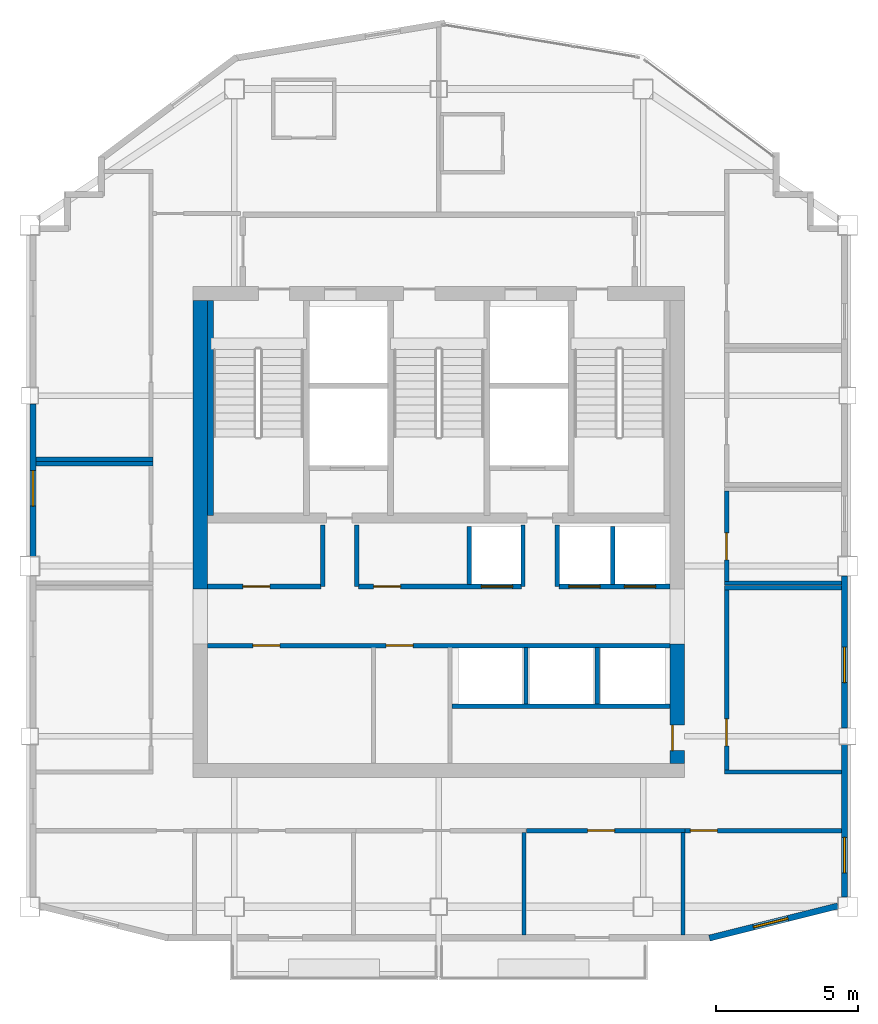
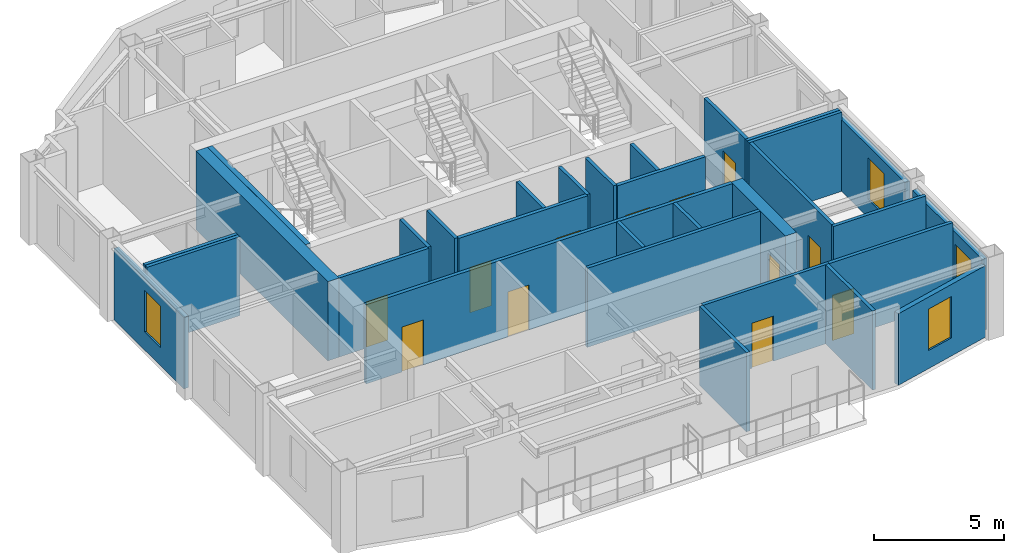
# One storey, part 5 of 8: 31 walls, 12 doors, 4 windows, 16 openings.
"""IFC4 building model written with IfcOpenShell, lengths in metres."""

import ifcopenshell
import ifcopenshell.guid

model = None  # the IFC model being written
_history = None  # IfcOwnerHistory: only IFC2X3 demands one
_inside = {}  # id of a spatial element -> (the spatial element, [elements in it])
_under = {}  # id of a project, library or spatial element -> (it, [spatial elements below it])
_declared = {}  # id of a project -> (the project, [libraries it declares])
_typed = {}  # id of a type object -> (the type object, [elements of that type])
_made_of = {}  # id of a material, layer set ... -> (it, [elements and type objects made of it])


def new_model(schema):
    """Start an empty IFC model of exactly this schema.

    Asked for "IFC4X3", IfcOpenShell would pick the latest addendum, in which some entities
    have other attributes; the version numbers below select the first issue.
    IFC2X3 requires an IfcOwnerHistory on every rooted entity: one is made here for all.
    """
    global model, _history
    if schema == "IFC4X3":
        model = ifcopenshell.file(schema_version=(4, 3, 0, 0))
    else:
        model = ifcopenshell.file(schema=schema)
    _inside.clear()
    _under.clear()
    _declared.clear()
    _typed.clear()
    _made_of.clear()
    _history = None
    if model.schema == "IFC2X3":
        org = make("IfcOrganization", Name="unknown")
        user = make(
            "IfcPersonAndOrganization",
            ThePerson=make("IfcPerson", FamilyName="unknown"),
            TheOrganization=org,
        )
        app = make(
            "IfcApplication",
            ApplicationDeveloper=org,
            Version="unknown",
            ApplicationFullName="unknown",
            ApplicationIdentifier="unknown",
        )
        _history = make(
            "IfcOwnerHistory",
            OwningUser=user,
            OwningApplication=app,
            ChangeAction="ADDED",
            CreationDate=0,
        )
    return model


def make(cls, **values):
    """One entity of the class cls with the attributes given. An attribute that is None is left unset."""
    return model.create_entity(
        cls, **{name: value for name, value in values.items() if value is not None}
    )


def rooted(cls, **values):
    """An entity with a GlobalId (a new one), such as an element, a storey or a relation."""
    return make(cls, GlobalId=ifcopenshell.guid.new(), OwnerHistory=_history, **values)


def si_unit(unit_type, name, prefix=None):
    """IfcSIUnit, for example si_unit("LENGTHUNIT", "METRE", prefix="MILLI")."""
    return make("IfcSIUnit", UnitType=unit_type, Prefix=prefix, Name=name)


def assignment(units):
    """IfcUnitAssignment: the units of a project."""
    return None if units is None else make("IfcUnitAssignment", Units=units)


def point(xyz):
    """IfcCartesianPoint."""
    return None if xyz is None else make("IfcCartesianPoint", Coordinates=xyz)


def direction(xyz):
    """IfcDirection."""
    return None if xyz is None else make("IfcDirection", DirectionRatios=xyz)


def frame(location, z_axis=None, x_axis=None):
    """IfcAxis2Placement3D, a coordinate frame: its origin and axes. An axis left out is left unset."""
    return make(
        "IfcAxis2Placement3D",
        Location=point(location),
        Axis=direction(z_axis),
        RefDirection=direction(x_axis),
    )


def frame_2d(location, x_axis=None):
    """IfcAxis2Placement2D, a coordinate frame in the plane: its origin and x axis."""
    return make(
        "IfcAxis2Placement2D", Location=point(location), RefDirection=direction(x_axis)
    )


def origin():
    """The frame at (0, 0, 0) with its axes left unset."""
    return frame((0.0, 0.0, 0.0))


def place(relative_to, where):
    """IfcLocalPlacement: puts the frame where relative to a parent placement (None: the world)."""
    return make(
        "IfcLocalPlacement", PlacementRelTo=relative_to, RelativePlacement=where
    )


def context(
    kind, dimensions, precision=None, world=None, true_north=None, identifier=None
):
    """IfcGeometricRepresentationContext, for example the 3D "Model" context."""
    return make(
        "IfcGeometricRepresentationContext",
        ContextIdentifier=identifier,
        ContextType=kind,
        CoordinateSpaceDimension=dimensions,
        Precision=precision,
        WorldCoordinateSystem=world,
        TrueNorth=true_north,
    )


def subcontext(parent, identifier, kind, view, scale=None):
    """IfcGeometricRepresentationSubContext, for example "Body" below "Model"."""
    return make(
        "IfcGeometricRepresentationSubContext",
        ContextIdentifier=identifier,
        ContextType=kind,
        ParentContext=parent,
        TargetScale=scale,
        TargetView=view,
    )


def project(units=None, contexts=None):
    """IfcProject with its units and contexts."""
    return rooted(
        "IfcProject",
        Name="project",
        RepresentationContexts=contexts,
        UnitsInContext=assignment(units),
    )


def spatial(cls, under=None, at=None, **own):
    """A site, building, storey or space (cls), placed at a placement, below another one or the project."""
    s = rooted(cls, ObjectPlacement=at, **own)
    if under is not None:
        _under.setdefault(under.id(), (under, []))[1].append(s)
    return s


def profile(cls, at=None, kind="AREA", **sizes):
    """A parametric profile (cls). Its sizes go by their IFC names, for example OverallWidth=200.0."""
    return make(cls, ProfileType=kind, Position=at, **sizes)


def rectangle(**sizes):
    """IfcRectangleProfileDef."""
    return profile("IfcRectangleProfileDef", **sizes)


def extrude(swept, where, along, depth):
    """IfcExtrudedAreaSolid: the profile swept, set in the frame where, extruded along a direction by depth."""
    return make(
        "IfcExtrudedAreaSolid",
        SweptArea=swept,
        Position=where,
        ExtrudedDirection=direction(along),
        Depth=depth,
    )


def shape(context_of_items, identifier, shape_type, items):
    """IfcShapeRepresentation: the items that make up one representation, for example the "Body"."""
    return make(
        "IfcShapeRepresentation",
        ContextOfItems=context_of_items,
        RepresentationIdentifier=identifier,
        RepresentationType=shape_type,
        Items=items,
    )


def material(Name=None, Category=None):
    """IfcMaterial."""
    return make("IfcMaterial", Name=Name, Category=Category)


def layer(
    of_material, thickness, ventilated=None, Name=None, Category=None, Priority=None
):
    """IfcMaterialLayer: one layer of a wall or slab, of a material (None: an air gap)."""
    return make(
        "IfcMaterialLayer",
        Material=of_material,
        LayerThickness=thickness,
        IsVentilated=ventilated,
        Name=Name,
        Category=Category,
        Priority=Priority,
    )


def layer_set(layers, Name=None):
    """IfcMaterialLayerSet."""
    return make("IfcMaterialLayerSet", MaterialLayers=layers, LayerSetName=Name)


def made_of(thing, what):
    """Note that an element or type object is made of a material, layer set ...; save() writes the relation."""
    if what is not None:
        _made_of.setdefault(what.id(), (what, []))[1].append(thing)
    return thing


def type_object(cls, material=None, **own):
    """A type object (cls), such as IfcWallType, which elements share."""
    return made_of(rooted(cls, **own), material)


def element(
    cls,
    number,
    at=None,
    inside=None,
    cuts=None,
    type_object=None,
    material=None,
    context=None,
    identifier="Body",
    shape_type=None,
    held_by="IfcProductDefinitionShape",
    body=None,
    shapes=None,
    **own,
):
    """One element of the class cls, such as IfcWall. Its Tag is "e" and its number.

    at: its placement. inside: the storey or other place that contains it. cuts: it is an
    opening in that element (IfcRelVoidsElement). A single representation is given by context,
    identifier, shape_type and body (its items); several are given by shapes. held_by: the class
    of the entity that holds the representations. save() writes the other relations.
    """
    e = rooted(cls, Tag="e%d" % number, ObjectPlacement=at, **own)
    if body is not None:
        shapes = [shape(context, identifier, shape_type, body)]
    if shapes is not None:
        e.Representation = make(held_by, Representations=shapes)
    if inside is not None:
        _inside.setdefault(inside.id(), (inside, []))[1].append(e)
    if cuts is not None:
        rooted(
            "IfcRelVoidsElement", RelatingBuildingElement=cuts, RelatedOpeningElement=e
        )
    if type_object is not None:
        _typed.setdefault(type_object.id(), (type_object, []))[1].append(e)
    return made_of(e, material)


def fill(opening, filler):
    """IfcRelFillsElement: the door or window that sits in an opening."""
    return rooted(
        "IfcRelFillsElement",
        RelatingOpeningElement=opening,
        RelatedBuildingElement=filler,
    )


def aggregate(whole, parts):
    """IfcRelAggregates: a whole, such as a stair, and the parts it consists of."""
    return rooted("IfcRelAggregates", RelatingObject=whole, RelatedObjects=parts)


def save(model, path):
    """Write the relations noted so far, then the file.

    IfcRelAggregates (storeys below a building ...), IfcRelContainedInSpatialStructure (elements
    in a storey), IfcRelDefinesByType, IfcRelAssociatesMaterial and IfcRelDeclares: one each for
    every whole, place, type object, material and project.
    """
    for whole, parts in _under.values():
        aggregate(whole, parts)
    for where, things in _inside.values():
        rooted(
            "IfcRelContainedInSpatialStructure",
            RelatedElements=things,
            RelatingStructure=where,
        )
    for kind, things in _typed.values():
        rooted("IfcRelDefinesByType", RelatedObjects=things, RelatingType=kind)
    for what, things in _made_of.values():
        rooted("IfcRelAssociatesMaterial", RelatedObjects=things, RelatingMaterial=what)
    for by, libraries in _declared.values():
        rooted("IfcRelDeclares", RelatingContext=by, RelatedDefinitions=libraries)
    model.write(path)


model = new_model("IFC4")

# Units and contexts
model_context = context("Model", 3, precision=1e-05, world=origin(), true_north=direction((0.0, 1.0)))
body_context = subcontext(model_context, "Body", "Model", "MODEL_VIEW")
ifc_project = project(units=[si_unit("LENGTHUNIT", "METRE"), si_unit("AREAUNIT", "SQUARE_METRE"), si_unit("VOLUMEUNIT", "CUBIC_METRE"), si_unit("PLANEANGLEUNIT", "RADIAN"), si_unit("MASSUNIT", "GRAM", prefix="KILO")], contexts=[model_context])

# Site, building, storey
site_placement = place(None, origin())
site = spatial("IfcSite", under=ifc_project, at=site_placement, CompositionType="ELEMENT")
building_placement = place(site_placement, origin())
building = spatial("IfcBuilding", under=site, at=building_placement, Name="Haolan Belvedere Tower", CompositionType="ELEMENT")
storey_placement = place(building_placement, frame((0.0, 0.0, 297.800048828125)))
storey = spatial("IfcBuildingStorey", under=building, at=storey_placement, Name="L75", CompositionType="ELEMENT", Elevation=297.800048828125)

# Wall
ifc_material_1 = material(Name="Concrete C50/60", Category="concrete")
ifc_layer_1 = layer(ifc_material_1, 0.5, Name="Concrete C50/60")
ifc_layer_set_1 = layer_set([ifc_layer_1], Name="Concrete C50/60")
wall_type_1 = type_object("IfcWallType", Name="WL-CORE-500", PredefinedType="SHEAR", material=ifc_layer_set_1)
wall_1_placement = place(storey_placement, frame((30.0, 32.800048828125, 0.0), z_axis=(0.0, 0.0, 1.0), x_axis=(0.0, 1.0, 0.0)))
element("IfcWall", 1, at=wall_1_placement, inside=storey, type_object=wall_type_1, Name="L75 central core shear wall WN", PredefinedType="SHEAR", context=body_context, shape_type="SweptSolid", body=[
    extrude(rectangle(XDim=10.14990234375, YDim=0.5, at=frame_2d((5.074951171875, 0.0))), origin(), (0.0, 0.0, 1.0), 3.719970703125),
])

# Wall, opening, door
wall_2_placement = place(storey_placement, frame((46.800048828125, 26.64990234375, 0.0), z_axis=(0.0, 0.0, 1.0), x_axis=(0.0, 1.0, 0.0)))
wall_2 = element("IfcWall", 2, at=wall_2_placement, inside=storey, type_object=wall_type_1, Name="L75 central core shear wall ES", PredefinedType="SHEAR", context=body_context, shape_type="SweptSolid", body=[
    extrude(rectangle(XDim=4.2001953125, YDim=0.5, at=frame_2d((2.10009765625, 0.0))), origin(), (0.0, 0.0, 1.0), 3.719970703125),
])
opening_1_placement = place(wall_2_placement, frame((1.349853515625, 0.0, 0.0), z_axis=(0.0, 0.0, 1.0), x_axis=(-1.0, 0.0, 0.0)))
opening_1 = element("IfcOpeningElement", 3, at=opening_1_placement, cuts=wall_2, Name="Opening FD-05", PredefinedType="OPENING", context=body_context, shape_type="SweptSolid", body=[
    extrude(rectangle(XDim=0.89990234375, YDim=2.10009765625, at=frame_2d((0.449951171875, 1.050048828125))), frame((0.0, 0.260009765625, 0.0), z_axis=(0.0, -1.0, 0.0), x_axis=(1.0, 0.0, 0.0)), (0.0, 0.0, 1.0), 0.52001953125),
])
ifc_material_2 = material(Name="Galvanised fire-rated steel", Category="steel")
door_type_1 = type_object("IfcDoorType", Name="DR-FD60-900", OperationType="NOTDEFINED", PredefinedType="DOOR", material=ifc_material_2)
door_1_placement = place(opening_1_placement, origin())
door_1 = element("IfcDoor", 4, at=door_1_placement, inside=storey, type_object=door_type_1, Name="L75 door CD-L75-SCVE", OperationType="SINGLE_SWING_RIGHT", OverallHeight=2.10009765625, OverallWidth=0.89990234375, PredefinedType="DOOR", context=body_context, shape_type="SweptSolid", body=[
    extrude(rectangle(XDim=0.89990234375, YDim=2.10009765625, at=frame_2d((0.449951171875, 1.050048828125))), frame((0.0, -0.134765625, 0.0), z_axis=(0.0, -1.0, 0.0), x_axis=(1.0, 0.0, 0.0)), (0.0, 0.0, 1.0), 0.050048828125),
])
fill(opening_1, door_1)

# Wall, opening, window
ifc_material_3 = material(Name="Precast concrete C40/50", Category="concrete")
ifc_layer_2 = layer(ifc_material_3, 0.219970703125, Name="Precast concrete C40/50")
ifc_layer_set_2 = layer_set([ifc_layer_2], Name="Precast concrete C40/50")
wall_type_2 = type_object("IfcWallType", Name="WL-EXT-220", PredefinedType="SOLIDWALL", material=ifc_layer_set_2)
wall_3_placement = place(storey_placement, frame((47.93310546875, 20.49658203125, 0.0), z_axis=(0.0, 0.0, 1.0), x_axis=(0.970136341762, 0.242560257242, 0.0)))
wall_3 = element("IfcWall", 5, at=wall_3_placement, inside=storey, type_object=wall_type_2, Name="L75 pale-metal exterior spandrel wall 2.1", PredefinedType="SOLIDWALL", context=body_context, shape_type="SweptSolid", body=[
    extrude(rectangle(XDim=4.664306640625, YDim=0.219970703125, at=frame_2d((2.33203125, 0.0))), origin(), (0.0, 0.0, 1.0), 3.364990234375),
])
opening_2_placement = place(wall_3_placement, frame((1.60009765625, 0.0, 0.85009765625)))
opening_2 = element("IfcOpeningElement", 6, at=opening_2_placement, cuts=wall_3, Name="Opening W-04", PredefinedType="OPENING", context=body_context, shape_type="SweptSolid", body=[
    extrude(rectangle(XDim=1.25, YDim=1.949951171875, at=frame_2d((0.625, 0.97509765625))), frame((0.0, 0.119873046875, 0.0), z_axis=(0.0, -1.0, 0.0), x_axis=(1.0, 0.0, 0.0)), (0.0, 0.0, 1.0), 0.239990234375),
])
ifc_material_4 = material(Name="Anodised aluminium 6063-T6 and Low-E glass", Category="aluminium")
window_type = type_object("IfcWindowType", Name="WN-DECO-Z4", PartitioningType="SINGLE_PANEL", PredefinedType="WINDOW", material=ifc_material_4)
window_1_placement = place(opening_2_placement, origin())
window_1 = element("IfcWindow", 7, at=window_1_placement, inside=storey, type_object=window_type, Name="L75 Art Deco chevron window 1", OverallHeight=1.949951171875, OverallWidth=1.25, PartitioningType="SINGLE_PANEL", PredefinedType="WINDOW", context=body_context, shape_type="SweptSolid", body=[
    extrude(rectangle(XDim=1.25, YDim=1.949951171875, at=frame_2d((0.625, 0.97509765625))), frame((0.0, 0.030029296875, 0.0), z_axis=(0.0, -1.0, 0.0), x_axis=(1.0, 0.0, 0.0)), (0.0, 0.0, 1.0), 0.06005859375),
])
fill(opening_2, window_1)

wall_4_placement = place(storey_placement, frame((52.68994140625, 21.94189453125, 0.0), z_axis=(0.0, 0.0, 1.0), x_axis=(0.0, 1.0, 0.0)))
wall_4 = element("IfcWall", 8, at=wall_4_placement, inside=storey, type_object=wall_type_2, Name="L75 pale-metal exterior spandrel wall 3.1", PredefinedType="SOLIDWALL", context=body_context, shape_type="SweptSolid", body=[
    extrude(rectangle(XDim=5.3662109375, YDim=0.219970703125, at=frame_2d((2.68310546875, 0.0))), origin(), (0.0, 0.0, 1.0), 3.364990234375),
])
opening_3_placement = place(wall_4_placement, frame((0.85302734375, 0.0, 0.85009765625)))
opening_3 = element("IfcOpeningElement", 9, at=opening_3_placement, cuts=wall_4, Name="Opening W-04", PredefinedType="OPENING", context=body_context, shape_type="SweptSolid", body=[
    extrude(rectangle(XDim=1.25, YDim=1.949951171875, at=frame_2d((0.625, 0.97509765625))), frame((0.0, 0.119873046875, 0.0), z_axis=(0.0, -1.0, 0.0), x_axis=(1.0, 0.0, 0.0)), (0.0, 0.0, 1.0), 0.239990234375),
])
window_2_placement = place(opening_3_placement, origin())
window_2 = element("IfcWindow", 10, at=window_2_placement, inside=storey, type_object=window_type, Name="L75 Art Deco chevron window 1", OverallHeight=1.949951171875, OverallWidth=1.25, PartitioningType="SINGLE_PANEL", PredefinedType="WINDOW", context=body_context, shape_type="SweptSolid", body=[
    extrude(rectangle(XDim=1.25, YDim=1.949951171875, at=frame_2d((0.625, 0.97509765625))), frame((0.0, 0.030029296875, 0.0), z_axis=(0.0, -1.0, 0.0), x_axis=(1.0, 0.0, 0.0)), (0.0, 0.0, 1.0), 0.06005859375),
])
fill(opening_3, window_2)

wall_5_placement = place(storey_placement, frame((52.68994140625, 27.89208984375, 0.0), z_axis=(0.0, 0.0, 1.0), x_axis=(0.0, 1.0, 0.0)))
wall_5 = element("IfcWall", 11, at=wall_5_placement, inside=storey, type_object=wall_type_2, Name="L75 pale-metal exterior spandrel wall 3.2", PredefinedType="SOLIDWALL", context=body_context, shape_type="SweptSolid", body=[
    extrude(rectangle(XDim=5.365966796875, YDim=0.219970703125, at=frame_2d((2.68310546875, 0.0))), origin(), (0.0, 0.0, 1.0), 3.364990234375),
])
opening_4_placement = place(wall_5_placement, frame((1.60009765625, 0.0, 0.85009765625)))
opening_4 = element("IfcOpeningElement", 12, at=opening_4_placement, cuts=wall_5, Name="Opening W-04", PredefinedType="OPENING", context=body_context, shape_type="SweptSolid", body=[
    extrude(rectangle(XDim=1.25, YDim=1.949951171875, at=frame_2d((0.625, 0.97509765625))), frame((0.0, 0.119873046875, 0.0), z_axis=(0.0, -1.0, 0.0), x_axis=(1.0, 0.0, 0.0)), (0.0, 0.0, 1.0), 0.239990234375),
])
window_3_placement = place(opening_4_placement, origin())
window_3 = element("IfcWindow", 13, at=window_3_placement, inside=storey, type_object=window_type, Name="L75 Art Deco chevron window 1", OverallHeight=1.949951171875, OverallWidth=1.25, PartitioningType="SINGLE_PANEL", PredefinedType="WINDOW", context=body_context, shape_type="SweptSolid", body=[
    extrude(rectangle(XDim=1.25, YDim=1.949951171875, at=frame_2d((0.625, 0.97509765625))), frame((0.0, 0.030029296875, 0.0), z_axis=(0.0, -1.0, 0.0), x_axis=(1.0, 0.0, 0.0)), (0.0, 0.0, 1.0), 0.06005859375),
])
fill(opening_4, window_3)

wall_6_placement = place(storey_placement, frame((24.110107421875, 39.30810546875, 0.0), z_axis=(0.0, 0.0, 1.0), x_axis=(0.0, -1.0, 0.0)))
wall_6 = element("IfcWall", 14, at=wall_6_placement, inside=storey, type_object=wall_type_2, Name="L75 pale-metal exterior spandrel wall 16.2", PredefinedType="SOLIDWALL", context=body_context, shape_type="SweptSolid", body=[
    extrude(rectangle(XDim=5.3662109375, YDim=0.219970703125, at=frame_2d((2.68310546875, 0.0))), origin(), (0.0, 0.0, 1.0), 3.364990234375),
])
opening_5_placement = place(wall_6_placement, frame((2.343017578125, 0.0, 0.85009765625)))
opening_5 = element("IfcOpeningElement", 15, at=opening_5_placement, cuts=wall_6, Name="Opening W-04", PredefinedType="OPENING", context=body_context, shape_type="SweptSolid", body=[
    extrude(rectangle(XDim=1.25, YDim=1.949951171875, at=frame_2d((0.625, 0.97509765625))), frame((0.0, 0.119873046875, 0.0), z_axis=(0.0, -1.0, 0.0), x_axis=(1.0, 0.0, 0.0)), (0.0, 0.0, 1.0), 0.239990234375),
])
window_4_placement = place(opening_5_placement, origin())
window_4 = element("IfcWindow", 16, at=window_4_placement, inside=storey, type_object=window_type, Name="L75 Art Deco chevron window 1", OverallHeight=1.949951171875, OverallWidth=1.25, PartitioningType="SINGLE_PANEL", PredefinedType="WINDOW", context=body_context, shape_type="SweptSolid", body=[
    extrude(rectangle(XDim=1.25, YDim=1.949951171875, at=frame_2d((0.625, 0.97509765625))), frame((0.0, 0.030029296875, 0.0), z_axis=(0.0, -1.0, 0.0), x_axis=(1.0, 0.0, 0.0)), (0.0, 0.0, 1.0), 0.06005859375),
])
fill(opening_5, window_4)

# Walls
ifc_material_5 = material(Name="Double gypsum acoustic stud partition", Category="masonry")
ifc_layer_3 = layer(ifc_material_5, 0.14990234375, Name="Double gypsum acoustic stud partition")
ifc_layer_set_3 = layer_set([ifc_layer_3], Name="Double gypsum acoustic stud partition")
wall_type_3 = type_object("IfcWallType", Name="WL-PART-150", PredefinedType="PARTITIONING", material=ifc_layer_set_3)
wall_7_placement = place(storey_placement, frame((38.860107421875, 28.659912109375, 0.0), z_axis=(0.0, 0.0, 1.0), x_axis=(1.0, 0.0, 0.0)))
element("IfcWall", 17, at=wall_7_placement, inside=storey, type_object=wall_type_3, Name="L75 interior partition IW-L75-SSTRIP-E", PredefinedType="PARTITIONING", context=body_context, shape_type="SweptSolid", body=[
    extrude(rectangle(XDim=7.68994140625, YDim=0.14990234375, at=frame_2d((3.844970703125, 0.0))), origin(), (0.0, 0.0, 1.0), 3.719970703125),
])
for number, where, z_axis, x_axis, name in (
    (18, (24.2119140625, 37.199951171875, 0.0), (0.0, 0.0, 1.0), (1.0, 0.0, 0.0), "L75 interior partition IW-L75-HSK-N"),
    (19, (24.2119140625, 37.360107421875, 0.0), (0.0, 0.0, 1.0), (1.0, 0.0, 0.0), "L75 interior partition IW-L75-MTG-S"),
):
    element("IfcWall", number, at=place(storey_placement, frame(where, z_axis=z_axis, x_axis=x_axis)), inside=storey, type_object=wall_type_3, Name=name, PredefinedType="PARTITIONING", context=body_context, shape_type="SweptSolid", body=[
        extrude(rectangle(XDim=4.128173828125, YDim=0.14990234375, at=frame_2d((2.06396484375, 0.0))), origin(), (0.0, 0.0, 1.0), 3.719970703125),
    ])
wall_8_placement = place(storey_placement, frame((48.4599609375, 33.0, 0.0), z_axis=(0.0, 0.0, 1.0), x_axis=(1.0, 0.0, 0.0)))
element("IfcWall", 20, at=wall_8_placement, inside=storey, type_object=wall_type_3, Name="L75 interior partition IW-L75-AWC-S", PredefinedType="PARTITIONING", context=body_context, shape_type="SweptSolid", body=[
    extrude(rectangle(XDim=4.1279296875, YDim=0.14990234375, at=frame_2d((2.06396484375, 0.0))), origin(), (0.0, 0.0, 1.0), 3.719970703125),
])

# Wall, opening, door
wall_9_placement = place(storey_placement, frame((48.5400390625, 33.06005859375, 0.0), z_axis=(0.0, 0.0, 1.0), x_axis=(0.0, 1.0, 0.0)))
wall_9 = element("IfcWall", 21, at=wall_9_placement, inside=storey, type_object=wall_type_3, Name="L75 interior partition IW-L75-AWC-W", PredefinedType="PARTITIONING", context=body_context, shape_type="SweptSolid", body=[
    extrude(rectangle(XDim=3.179931640625, YDim=0.14990234375, at=frame_2d((1.58984375, 0.0))), origin(), (0.0, 0.0, 1.0), 3.719970703125),
])
opening_6_placement = place(wall_9_placement, frame((0.760009765625, 0.0, 0.0)))
opening_6 = element("IfcOpeningElement", 22, at=opening_6_placement, cuts=wall_9, Name="Opening ID-03", PredefinedType="OPENING", context=body_context, shape_type="SweptSolid", body=[
    extrude(rectangle(XDim=0.949951171875, YDim=2.1201171875, at=frame_2d((0.47509765625, 1.06005859375))), frame((0.0, 0.0849609375, 0.0), z_axis=(0.0, -1.0, 0.0), x_axis=(1.0, 0.0, 0.0)), (0.0, 0.0, 1.0), 0.169921875),
])
ifc_material_6 = material(Name="Painted solid-core timber", Category="wood")
door_type_2 = type_object("IfcDoorType", Name="DR-INT-950", OperationType="NOTDEFINED", PredefinedType="DOOR", material=ifc_material_6)
door_2_placement = place(opening_6_placement, origin())
door_2 = element("IfcDoor", 23, at=door_2_placement, inside=storey, type_object=door_type_2, Name="L75 door ID-L75-AWC", OperationType="SINGLE_SWING_LEFT", OverallHeight=2.1201171875, OverallWidth=0.949951171875, PredefinedType="DOOR", context=body_context, shape_type="SweptSolid", body=[
    extrude(rectangle(XDim=0.949951171875, YDim=2.1201171875, at=frame_2d((0.47509765625, 1.06005859375))), frame((0.0, 0.02490234375, 0.0), z_axis=(0.0, -1.0, 0.0), x_axis=(1.0, 0.0, 0.0)), (0.0, 0.0, 1.0), 0.050048828125),
])
fill(opening_6, door_2)

# Walls
for number, where, z_axis, x_axis, name in (
    (24, (48.4599609375, 32.840087890625, 0.0), (0.0, 0.0, 1.0), (1.0, 0.0, 0.0), "L75 interior partition IW-L75-PKTE-N"),
    (25, (48.4599609375, 26.35009765625, 0.0), (0.0, 0.0, 1.0), (1.0, 0.0, 0.0), "L75 interior partition IW-L75-PKTE-S"),
):
    element("IfcWall", number, at=place(storey_placement, frame(where, z_axis=z_axis, x_axis=x_axis)), inside=storey, type_object=wall_type_3, Name=name, PredefinedType="PARTITIONING", context=body_context, shape_type="SweptSolid", body=[
        extrude(rectangle(XDim=4.1279296875, YDim=0.14990234375, at=frame_2d((2.06396484375, 0.0))), origin(), (0.0, 0.0, 1.0), 3.719970703125),
    ])

# Wall, opening, door
wall_10_placement = place(storey_placement, frame((48.5400390625, 26.409912109375, 0.0), z_axis=(0.0, 0.0, 1.0), x_axis=(0.0, 1.0, 0.0)))
wall_10 = element("IfcWall", 26, at=wall_10_placement, inside=storey, type_object=wall_type_3, Name="L75 interior partition IW-L75-PKTE-W", PredefinedType="PARTITIONING", context=body_context, shape_type="SweptSolid", body=[
    extrude(rectangle(XDim=6.3701171875, YDim=0.14990234375, at=frame_2d((3.18505859375, 0.0))), origin(), (0.0, 0.0, 1.0), 3.719970703125),
])
opening_7_placement = place(wall_10_placement, frame((0.860107421875, 0.0, 0.0)))
opening_7 = element("IfcOpeningElement", 27, at=opening_7_placement, cuts=wall_10, Name="Opening ID-03", PredefinedType="OPENING", context=body_context, shape_type="SweptSolid", body=[
    extrude(rectangle(XDim=0.949951171875, YDim=2.1201171875, at=frame_2d((0.47509765625, 1.06005859375))), frame((0.0, 0.0849609375, 0.0), z_axis=(0.0, -1.0, 0.0), x_axis=(1.0, 0.0, 0.0)), (0.0, 0.0, 1.0), 0.169921875),
])
door_3_placement = place(opening_7_placement, origin())
door_3 = element("IfcDoor", 28, at=door_3_placement, inside=storey, type_object=door_type_2, Name="L75 door ID-L75-PKTE", OperationType="SINGLE_SWING_RIGHT", OverallHeight=2.1201171875, OverallWidth=0.949951171875, PredefinedType="DOOR", context=body_context, shape_type="SweptSolid", body=[
    extrude(rectangle(XDim=0.949951171875, YDim=2.1201171875, at=frame_2d((0.47509765625, 1.06005859375))), frame((0.0, 0.02490234375, 0.0), z_axis=(0.0, -1.0, 0.0), x_axis=(1.0, 0.0, 0.0)), (0.0, 0.0, 1.0), 0.050048828125),
])
fill(opening_7, door_3)

# Wall
wall_11_placement = place(storey_placement, frame((41.39990234375, 20.612060546875, 0.0), z_axis=(0.0, 0.0, 1.0), x_axis=(0.0, 1.0, 0.0)))
element("IfcWall", 29, at=wall_11_placement, inside=storey, type_object=wall_type_3, Name="L75 interior partition IW-L75-KS3-E", PredefinedType="PARTITIONING", context=body_context, shape_type="SweptSolid", body=[
    extrude(rectangle(XDim=3.60791015625, YDim=0.14990234375, at=frame_2d((1.803955078125, 0.0))), origin(), (0.0, 0.0, 1.0), 3.719970703125),
])

# Wall, opening, door
wall_12_placement = place(storey_placement, frame((41.48193359375, 24.280029296875, 0.0), z_axis=(0.0, 0.0, 1.0), x_axis=(1.0, 0.0, 0.0)))
wall_12 = element("IfcWall", 30, at=wall_12_placement, inside=storey, type_object=wall_type_3, Name="L75 interior partition IW-L75-KS4-N", PredefinedType="PARTITIONING", context=body_context, shape_type="SweptSolid", body=[
    extrude(rectangle(XDim=5.59814453125, YDim=0.14990234375, at=frame_2d((2.799072265625, 0.0))), origin(), (0.0, 0.0, 1.0), 3.719970703125),
])
opening_8_placement = place(wall_12_placement, frame((3.113037109375, 0.0, 0.0), z_axis=(0.0, 0.0, 1.0), x_axis=(-1.0, 0.0, 0.0)))
opening_8 = element("IfcOpeningElement", 31, at=opening_8_placement, cuts=wall_12, Name="Opening ID-03", PredefinedType="OPENING", context=body_context, shape_type="SweptSolid", body=[
    extrude(rectangle(XDim=0.949951171875, YDim=2.1201171875, at=frame_2d((0.47509765625, 1.06005859375))), frame((0.0, 0.0849609375, 0.0), z_axis=(0.0, -1.0, 0.0), x_axis=(1.0, 0.0, 0.0)), (0.0, 0.0, 1.0), 0.169921875),
])
door_4_placement = place(opening_8_placement, origin())
door_4 = element("IfcDoor", 32, at=door_4_placement, inside=storey, type_object=door_type_2, Name="L75 door ID-L75-KS4", OperationType="SINGLE_SWING_RIGHT", OverallHeight=2.1201171875, OverallWidth=0.949951171875, PredefinedType="DOOR", context=body_context, shape_type="SweptSolid", body=[
    extrude(rectangle(XDim=0.949951171875, YDim=2.1201171875, at=frame_2d((0.47509765625, 1.06005859375))), frame((0.0, 0.02490234375, 0.0), z_axis=(0.0, -1.0, 0.0), x_axis=(1.0, 0.0, 0.0)), (0.0, 0.0, 1.0), 0.050048828125),
])
fill(opening_8, door_4)

# Wall
wall_13_placement = place(storey_placement, frame((47.0, 20.612060546875, 0.0), z_axis=(0.0, 0.0, 1.0), x_axis=(0.0, 1.0, 0.0)))
element("IfcWall", 33, at=wall_13_placement, inside=storey, type_object=wall_type_3, Name="L75 interior partition IW-L75-KS4-E", PredefinedType="PARTITIONING", context=body_context, shape_type="SweptSolid", body=[
    extrude(rectangle(XDim=3.60791015625, YDim=0.14990234375, at=frame_2d((1.803955078125, 0.0))), origin(), (0.0, 0.0, 1.0), 3.719970703125),
])

# Wall, opening, door
wall_14_placement = place(storey_placement, frame((47.08203125, 24.280029296875, 0.0), z_axis=(0.0, 0.0, 1.0), x_axis=(1.0, 0.0, 0.0)))
wall_14 = element("IfcWall", 34, at=wall_14_placement, inside=storey, type_object=wall_type_3, Name="L75 interior partition IW-L75-KS5-N", PredefinedType="PARTITIONING", context=body_context, shape_type="SweptSolid", body=[
    extrude(rectangle(XDim=5.505859375, YDim=0.14990234375, at=frame_2d((2.7529296875, 0.0))), origin(), (0.0, 0.0, 1.0), 3.719970703125),
])
opening_9_placement = place(wall_14_placement, frame((1.133056640625, 0.0, 0.0), z_axis=(0.0, 0.0, 1.0), x_axis=(-1.0, 0.0, 0.0)))
opening_9 = element("IfcOpeningElement", 35, at=opening_9_placement, cuts=wall_14, Name="Opening ID-03", PredefinedType="OPENING", context=body_context, shape_type="SweptSolid", body=[
    extrude(rectangle(XDim=0.949951171875, YDim=2.1201171875, at=frame_2d((0.47509765625, 1.06005859375))), frame((0.0, 0.0849609375, 0.0), z_axis=(0.0, -1.0, 0.0), x_axis=(1.0, 0.0, 0.0)), (0.0, 0.0, 1.0), 0.169921875),
])
door_5_placement = place(opening_9_placement, origin())
door_5 = element("IfcDoor", 36, at=door_5_placement, inside=storey, type_object=door_type_2, Name="L75 door ID-L75-KS5", OperationType="SINGLE_SWING_LEFT", OverallHeight=2.1201171875, OverallWidth=0.949951171875, PredefinedType="DOOR", context=body_context, shape_type="SweptSolid", body=[
    extrude(rectangle(XDim=0.949951171875, YDim=2.1201171875, at=frame_2d((0.47509765625, 1.06005859375))), frame((0.0, 0.02490234375, 0.0), z_axis=(0.0, -1.0, 0.0), x_axis=(1.0, 0.0, 0.0)), (0.0, 0.0, 1.0), 0.050048828125),
])
fill(opening_9, door_5)

# Walls
ifc_material_7 = material(Name="Gypsum fire shaftwall assembly", Category="masonry")
ifc_layer_4 = layer(ifc_material_7, 0.1650390625, Name="Gypsum fire shaftwall assembly")
ifc_layer_set_4 = layer_set([ifc_layer_4], Name="Gypsum fire shaftwall assembly")
wall_type_4 = type_object("IfcWallType", Name="WL-SHAFT-160", PredefinedType="SOLIDWALL", material=ifc_layer_set_4)
for number, where, z_axis, x_axis, name in (
    (37, (34.31005859375, 32.8798828125, 0.0), (0.0, 0.0, 1.0), (0.0, 1.0, 0.0), "L75 interior partition IW-L75-SVP-W-SV1"),
    (38, (35.510009765625, 32.8798828125, 0.0), (0.0, 0.0, 1.0), (0.0, 1.0, 0.0), "L75 interior partition IW-L75-SVP-E-SV1"),
    (39, (41.3701171875, 32.8798828125, 0.0), (0.0, 0.0, 1.0), (0.0, 1.0, 0.0), "L75 interior partition IW-L75-SVP-W-SV2"),
    (40, (42.570068359375, 32.8798828125, 0.0), (0.0, 0.0, 1.0), (0.0, 1.0, 0.0), "L75 interior partition IW-L75-SVP-E-SV2"),
):
    element("IfcWall", number, at=place(storey_placement, frame(where, z_axis=z_axis, x_axis=x_axis)), inside=storey, type_object=wall_type_4, Name=name, PredefinedType="SOLIDWALL", context=body_context, shape_type="SweptSolid", body=[
        extrude(rectangle(XDim=2.170166015625, YDim=0.14990234375, at=frame_2d((1.0849609375, 0.0))), origin(), (0.0, 0.0, 1.0), 3.719970703125),
    ])

# Wall, opening, door
wall_15_placement = place(storey_placement, frame((30.25, 32.8798828125, 0.0), z_axis=(0.0, 0.0, 1.0), x_axis=(1.0, 0.0, 0.0)))
wall_15 = element("IfcWall", 41, at=wall_15_placement, inside=storey, type_object=wall_type_4, Name="L75 interior partition IW-L75-ROW-PN1", PredefinedType="SOLIDWALL", context=body_context, shape_type="SweptSolid", body=[
    extrude(rectangle(XDim=4.0, YDim=0.159912109375, at=frame_2d((2.0, 0.0))), origin(), (0.0, 0.0, 1.0), 3.719970703125),
])
opening_10_placement = place(wall_15_placement, frame((2.199951171875, 0.0, 0.0), z_axis=(0.0, 0.0, 1.0), x_axis=(-1.0, 0.0, 0.0)))
opening_10 = element("IfcOpeningElement", 42, at=opening_10_placement, cuts=wall_15, Name="Opening ID-03", PredefinedType="OPENING", context=body_context, shape_type="SweptSolid", body=[
    extrude(rectangle(XDim=0.949951171875, YDim=2.1201171875, at=frame_2d((0.47509765625, 1.06005859375))), frame((0.0, 0.08984375, 0.0), z_axis=(0.0, -1.0, 0.0), x_axis=(1.0, 0.0, 0.0)), (0.0, 0.0, 1.0), 0.179931640625),
])
door_6_placement = place(opening_10_placement, origin())
door_6 = element("IfcDoor", 43, at=door_6_placement, inside=storey, type_object=door_type_2, Name="L75 door ID-L75-CD-RPLW", OperationType="SINGLE_SWING_LEFT", OverallHeight=2.1201171875, OverallWidth=0.949951171875, PredefinedType="DOOR", context=body_context, shape_type="SweptSolid", body=[
    extrude(rectangle(XDim=0.949951171875, YDim=2.1201171875, at=frame_2d((0.47509765625, 1.06005859375))), frame((0.0, 0.02490234375, 0.0), z_axis=(0.0, -1.0, 0.0), x_axis=(1.0, 0.0, 0.0)), (0.0, 0.0, 1.0), 0.050048828125),
])
fill(opening_10, door_6)

# Wall, openings, doors
wall_16_placement = place(storey_placement, frame((35.570068359375, 32.8798828125, 0.0), z_axis=(0.0, 0.0, 1.0), x_axis=(1.0, 0.0, 0.0)))
wall_16 = element("IfcWall", 44, at=wall_16_placement, inside=storey, type_object=wall_type_4, Name="L75 interior partition IW-L75-ROW-PN2", PredefinedType="SOLIDWALL", context=body_context, shape_type="SweptSolid", body=[
    extrude(rectangle(XDim=5.739990234375, YDim=0.159912109375, at=frame_2d((2.8701171875, 0.0))), origin(), (0.0, 0.0, 1.0), 3.719970703125),
])
opening_11_placement = place(wall_16_placement, frame((1.489990234375, 0.0, 0.0), z_axis=(0.0, 0.0, 1.0), x_axis=(-1.0, 0.0, 0.0)))
opening_11 = element("IfcOpeningElement", 45, at=opening_11_placement, cuts=wall_16, Name="Opening ID-03", PredefinedType="OPENING", context=body_context, shape_type="SweptSolid", body=[
    extrude(rectangle(XDim=0.949951171875, YDim=2.1201171875, at=frame_2d((0.47509765625, 1.06005859375))), frame((0.0, 0.08984375, 0.0), z_axis=(0.0, -1.0, 0.0), x_axis=(1.0, 0.0, 0.0)), (0.0, 0.0, 1.0), 0.179931640625),
])
opening_12_placement = place(wall_16_placement, frame((5.43017578125, 0.0, 0.0), z_axis=(0.0, 0.0, 1.0), x_axis=(-1.0, 0.0, 0.0)))
opening_12 = element("IfcOpeningElement", 46, at=opening_12_placement, cuts=wall_16, Name="Opening LD-01", PredefinedType="OPENING", context=body_context, shape_type="SweptSolid", body=[
    extrude(rectangle(XDim=1.10009765625, YDim=2.199951171875, at=frame_2d((0.550048828125, 1.10009765625))), frame((0.0, 0.08984375, 0.0), z_axis=(0.0, -1.0, 0.0), x_axis=(1.0, 0.0, 0.0)), (0.0, 0.0, 1.0), 0.179931640625),
])
door_7_placement = place(opening_11_placement, origin())
door_7 = element("IfcDoor", 47, at=door_7_placement, inside=storey, type_object=door_type_2, Name="L75 door ID-L75-CD-RPLE", OperationType="SINGLE_SWING_RIGHT", OverallHeight=2.1201171875, OverallWidth=0.949951171875, PredefinedType="DOOR", context=body_context, shape_type="SweptSolid", body=[
    extrude(rectangle(XDim=0.949951171875, YDim=2.1201171875, at=frame_2d((0.47509765625, 1.06005859375))), frame((0.0, 0.02490234375, 0.0), z_axis=(0.0, -1.0, 0.0), x_axis=(1.0, 0.0, 0.0)), (0.0, 0.0, 1.0), 0.050048828125),
])
fill(opening_11, door_7)
ifc_material_8 = material(Name="Brushed champagne stainless steel 316L", Category="steel")
door_type_3 = type_object("IfcDoorType", Name="DR-LIFT-1100", OperationType="SLIDING_TO_LEFT", PredefinedType="DOOR", material=ifc_material_8)
door_8_placement = place(opening_12_placement, origin())
door_8 = element("IfcDoor", 48, at=door_8_placement, inside=storey, type_object=door_type_3, Name="L75 door ID-L75-LD-PH1", OperationType="SLIDING_TO_RIGHT", OverallHeight=2.199951171875, OverallWidth=1.10009765625, PredefinedType="DOOR", context=body_context, shape_type="SweptSolid", body=[
    extrude(rectangle(XDim=1.10009765625, YDim=2.199951171875, at=frame_2d((0.550048828125, 1.10009765625))), frame((0.0, 0.02490234375, 0.0), z_axis=(0.0, -1.0, 0.0), x_axis=(1.0, 0.0, 0.0)), (0.0, 0.0, 1.0), 0.050048828125),
])
fill(opening_12, door_8)

wall_17_placement = place(storey_placement, frame((42.6298828125, 32.8798828125, 0.0), z_axis=(0.0, 0.0, 1.0), x_axis=(1.0, 0.0, 0.0)))
wall_17 = element("IfcWall", 49, at=wall_17_placement, inside=storey, type_object=wall_type_4, Name="L75 interior partition IW-L75-ROW-PN3", PredefinedType="SOLIDWALL", context=body_context, shape_type="SweptSolid", body=[
    extrude(rectangle(XDim=3.920166015625, YDim=0.159912109375, at=frame_2d((1.9599609375, 0.0))), origin(), (0.0, 0.0, 1.0), 3.719970703125),
])
opening_13_placement = place(wall_17_placement, frame((1.4501953125, 0.0, 0.0), z_axis=(0.0, 0.0, 1.0), x_axis=(-1.0, 0.0, 0.0)))
opening_13 = element("IfcOpeningElement", 50, at=opening_13_placement, cuts=wall_17, Name="Opening LD-01", PredefinedType="OPENING", context=body_context, shape_type="SweptSolid", body=[
    extrude(rectangle(XDim=1.10009765625, YDim=2.199951171875, at=frame_2d((0.550048828125, 1.10009765625))), frame((0.0, 0.08984375, 0.0), z_axis=(0.0, -1.0, 0.0), x_axis=(1.0, 0.0, 0.0)), (0.0, 0.0, 1.0), 0.179931640625),
])
opening_14_placement = place(wall_17_placement, frame((3.41015625, 0.0, 0.0), z_axis=(0.0, 0.0, 1.0), x_axis=(-1.0, 0.0, 0.0)))
opening_14 = element("IfcOpeningElement", 51, at=opening_14_placement, cuts=wall_17, Name="Opening LD-01", PredefinedType="OPENING", context=body_context, shape_type="SweptSolid", body=[
    extrude(rectangle(XDim=1.10009765625, YDim=2.199951171875, at=frame_2d((0.550048828125, 1.10009765625))), frame((0.0, 0.08984375, 0.0), z_axis=(0.0, -1.0, 0.0), x_axis=(1.0, 0.0, 0.0)), (0.0, 0.0, 1.0), 0.179931640625),
])
door_9_placement = place(opening_13_placement, origin())
door_9 = element("IfcDoor", 52, at=door_9_placement, inside=storey, type_object=door_type_3, Name="L75 door ID-L75-LD-PH2", OperationType="SLIDING_TO_RIGHT", OverallHeight=2.199951171875, OverallWidth=1.10009765625, PredefinedType="DOOR", context=body_context, shape_type="SweptSolid", body=[
    extrude(rectangle(XDim=1.10009765625, YDim=2.199951171875, at=frame_2d((0.550048828125, 1.10009765625))), frame((0.0, 0.02490234375, 0.0), z_axis=(0.0, -1.0, 0.0), x_axis=(1.0, 0.0, 0.0)), (0.0, 0.0, 1.0), 0.050048828125),
])
fill(opening_13, door_9)
door_10_placement = place(opening_14_placement, origin())
door_10 = element("IfcDoor", 53, at=door_10_placement, inside=storey, type_object=door_type_3, Name="L75 door ID-L75-LD-PH3", OperationType="SLIDING_TO_RIGHT", OverallHeight=2.199951171875, OverallWidth=1.10009765625, PredefinedType="DOOR", context=body_context, shape_type="SweptSolid", body=[
    extrude(rectangle(XDim=1.10009765625, YDim=2.199951171875, at=frame_2d((0.550048828125, 1.10009765625))), frame((0.0, 0.02490234375, 0.0), z_axis=(0.0, -1.0, 0.0), x_axis=(1.0, 0.0, 0.0)), (0.0, 0.0, 1.0), 0.050048828125),
])
fill(opening_14, door_10)

# Walls
for number, where, z_axis, x_axis, name in (
    (54, (39.469970703125, 32.949951171875, 0.0), (0.0, 0.0, 1.0), (0.0, 1.0, 0.0), "L75 interior partition IW-L75-DIV-PL4R"),
    (55, (44.530029296875, 32.949951171875, 0.0), (0.0, 0.0, 1.0), (0.0, 1.0, 0.0), "L75 interior partition IW-L75-DIV-PH2"),
):
    element("IfcWall", number, at=place(storey_placement, frame(where, z_axis=z_axis, x_axis=x_axis)), inside=storey, type_object=wall_type_4, Name=name, PredefinedType="SOLIDWALL", context=body_context, shape_type="SweptSolid", body=[
        extrude(rectangle(XDim=2.050048828125, YDim=0.14990234375, at=frame_2d((1.02490234375, 0.0))), origin(), (0.0, 0.0, 1.0), 3.719970703125),
    ])

# Wall, openings, doors
wall_18_placement = place(storey_placement, frame((30.25, 30.800048828125, 0.0), z_axis=(0.0, 0.0, 1.0), x_axis=(1.0, 0.0, 0.0)))
wall_18 = element("IfcWall", 56, at=wall_18_placement, inside=storey, type_object=wall_type_4, Name="L75 interior partition IW-L75-ROW-PS", PredefinedType="SOLIDWALL", context=body_context, shape_type="SweptSolid", body=[
    extrude(rectangle(XDim=16.300048828125, YDim=0.159912109375, at=frame_2d((8.14990234375, 0.0))), origin(), (0.0, 0.0, 1.0), 3.719970703125),
])
opening_15_placement = place(wall_18_placement, frame((1.60009765625, 0.0, 0.0)))
opening_15 = element("IfcOpeningElement", 57, at=opening_15_placement, cuts=wall_18, Name="Opening ID-03", PredefinedType="OPENING", context=body_context, shape_type="SweptSolid", body=[
    extrude(rectangle(XDim=0.949951171875, YDim=2.1201171875, at=frame_2d((0.47509765625, 1.06005859375))), frame((0.0, 0.08984375, 0.0), z_axis=(0.0, -1.0, 0.0), x_axis=(1.0, 0.0, 0.0)), (0.0, 0.0, 1.0), 0.179931640625),
])
opening_16_placement = place(wall_18_placement, frame((6.300048828125, 0.0, 0.0)))
opening_16 = element("IfcOpeningElement", 58, at=opening_16_placement, cuts=wall_18, Name="Opening ID-03", PredefinedType="OPENING", context=body_context, shape_type="SweptSolid", body=[
    extrude(rectangle(XDim=0.949951171875, YDim=2.1201171875, at=frame_2d((0.47509765625, 1.06005859375))), frame((0.0, 0.08984375, 0.0), z_axis=(0.0, -1.0, 0.0), x_axis=(1.0, 0.0, 0.0)), (0.0, 0.0, 1.0), 0.179931640625),
])
door_11_placement = place(opening_15_placement, origin())
door_11 = element("IfcDoor", 59, at=door_11_placement, inside=storey, type_object=door_type_2, Name="L75 door ID-L75-CD-RPMA", OperationType="SINGLE_SWING_LEFT", OverallHeight=2.1201171875, OverallWidth=0.949951171875, PredefinedType="DOOR", context=body_context, shape_type="SweptSolid", body=[
    extrude(rectangle(XDim=0.949951171875, YDim=2.1201171875, at=frame_2d((0.47509765625, 1.06005859375))), frame((0.0, 0.02490234375, 0.0), z_axis=(0.0, -1.0, 0.0), x_axis=(1.0, 0.0, 0.0)), (0.0, 0.0, 1.0), 0.050048828125),
])
fill(opening_15, door_11)
door_12_placement = place(opening_16_placement, origin())
door_12 = element("IfcDoor", 60, at=door_12_placement, inside=storey, type_object=door_type_2, Name="L75 door ID-L75-CD-RPMB", OperationType="SINGLE_SWING_RIGHT", OverallHeight=2.1201171875, OverallWidth=0.949951171875, PredefinedType="DOOR", context=body_context, shape_type="SweptSolid", body=[
    extrude(rectangle(XDim=0.949951171875, YDim=2.1201171875, at=frame_2d((0.47509765625, 1.06005859375))), frame((0.0, 0.02490234375, 0.0), z_axis=(0.0, -1.0, 0.0), x_axis=(1.0, 0.0, 0.0)), (0.0, 0.0, 1.0), 0.050048828125),
])
fill(opening_16, door_12)

# Walls
for number, where, z_axis, x_axis, name in (
    (61, (41.469970703125, 28.75, 0.0), (0.0, 0.0, 1.0), (0.0, 1.0, 0.0), "L75 interior partition IW-L75-DIV-OB1"),
    (62, (43.97998046875, 28.75, 0.0), (0.0, 0.0, 1.0), (0.0, 1.0, 0.0), "L75 interior partition IW-L75-DIV-OB2"),
):
    element("IfcWall", number, at=place(storey_placement, frame(where, z_axis=z_axis, x_axis=x_axis)), inside=storey, type_object=wall_type_4, Name=name, PredefinedType="SOLIDWALL", context=body_context, shape_type="SweptSolid", body=[
        extrude(rectangle(XDim=1.985107421875, YDim=0.14990234375, at=frame_2d((0.99267578125, 0.0))), origin(), (0.0, 0.0, 1.0), 3.719970703125),
    ])
ifc_layer_5 = layer(ifc_material_1, 0.219970703125, Name="Concrete C50/60")
ifc_layer_set_5 = layer_set([ifc_layer_5], Name="Concrete C50/60")
wall_type_5 = type_object("IfcWallType", Name="WL-STAIR-220", PredefinedType="SHEAR", material=ifc_layer_set_5)
wall_19_placement = place(storey_placement, frame((30.362060546875, 35.389892578125, 0.0), z_axis=(0.0, 0.0, 1.0), x_axis=(0.0, 1.0, 0.0)))
element("IfcWall", 63, at=wall_19_placement, inside=storey, type_object=wall_type_5, Name="L75 structural stair core wall ST1W", PredefinedType="SHEAR", context=body_context, shape_type="SweptSolid", body=[
    extrude(rectangle(XDim=7.56005859375, YDim=0.219970703125, at=frame_2d((3.780029296875, 0.0))), origin(), (0.0, 0.0, 1.0), 3.719970703125),
])

save(model, "model.ifc")
